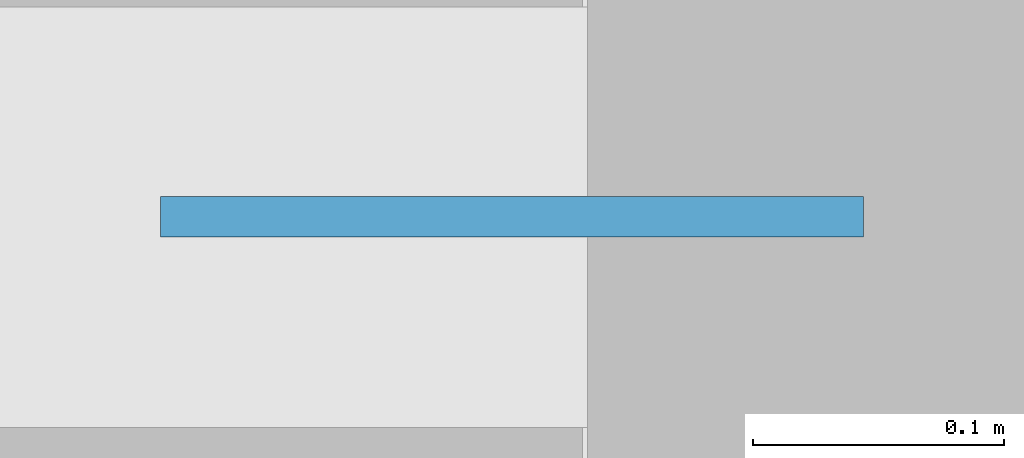
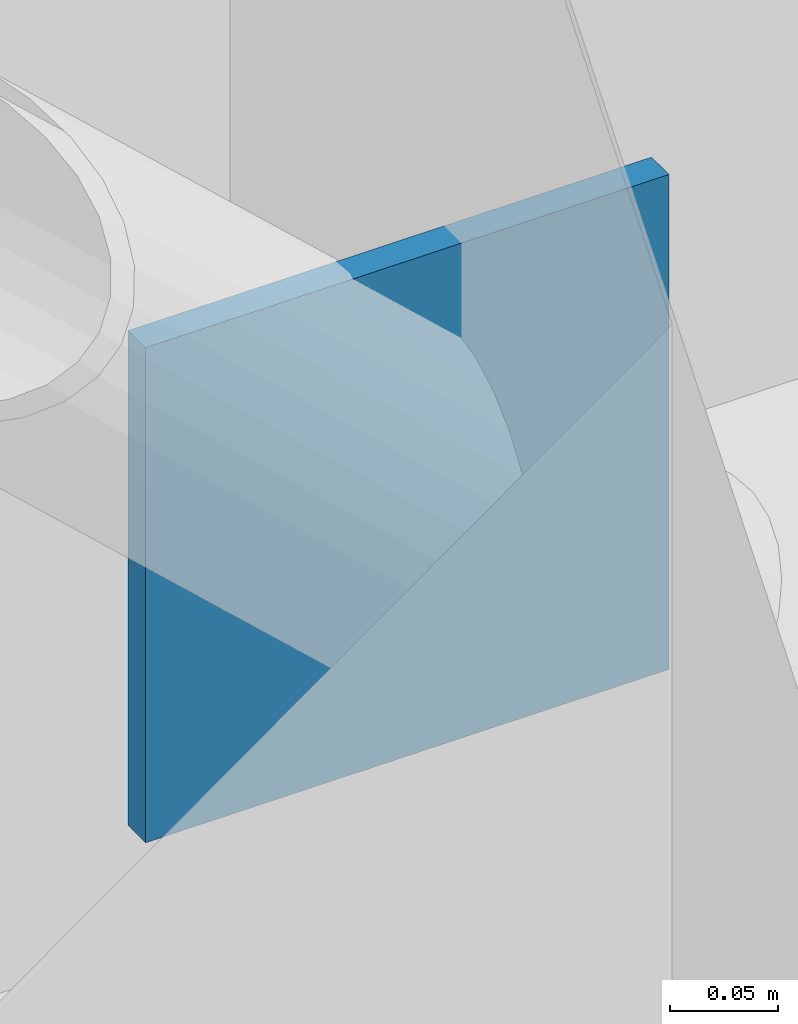
# One storey, part 9 of 19: 1 plate.
"""IFC4 building model written with IfcOpenShell, lengths in metres."""

from ifc_helpers import new_model, si_unit, derived_unit, direction, frame, origin, origin_2d, place, context, subcontext, project, spatial, rectangle, extrude, material, layer, layer_set, type_object, element, save


model = new_model("IFC4")

# Units and contexts
model_context = context("Model", 3, precision=1e-05, world=origin(), true_north=direction((0.0, 1.0)))
body_context = subcontext(model_context, "Body", "Model", "MODEL_VIEW")
ifc_project = project(units=[si_unit("LENGTHUNIT", "METRE"), si_unit("AREAUNIT", "SQUARE_METRE"), si_unit("VOLUMEUNIT", "CUBIC_METRE"), si_unit("PLANEANGLEUNIT", "RADIAN"), si_unit("MASSUNIT", "GRAM", prefix="KILO"), derived_unit("THERMALTRANSMITTANCEUNIT", [(si_unit("MASSUNIT", "GRAM", prefix="KILO"), 1), (si_unit("TIMEUNIT", "SECOND"), -3), (si_unit("THERMODYNAMICTEMPERATUREUNIT", "KELVIN"), -1)])], contexts=[model_context])

# Site, building, storey
site_placement = place(None, origin())
site = spatial("IfcSite", under=ifc_project, at=site_placement, CompositionType="ELEMENT")
building_placement = place(site_placement, origin())
building = spatial("IfcBuilding", under=site, at=building_placement, Name="Qinzheling Arcade Emporium", CompositionType="ELEMENT")
storey_placement = place(building_placement, frame((0.0, 0.0, -4.800048828125)))
storey = spatial("IfcBuildingStorey", under=building, at=storey_placement, Name="B1", CompositionType="ELEMENT", Elevation=-4.800048828125)

# Plate
ifc_material = material(Name="Structural steel Q355B", Category="steel")
ifc_layer = layer(ifc_material, 0.01611328125, Name="Structural steel Q355B", Category="steel")
ifc_layer_set = layer_set([ifc_layer], Name="Structural steel Q355B")
plate_type = type_object("IfcPlateType", Name="Structural Steel Brace Gusset Plate 16mm Q355B", PredefinedType="SHEET", material=ifc_layer_set)
plate_placement = place(storey_placement, frame((60.419921875, 8.39990234375, 0.22998046875), z_axis=(0.0, 0.0, 1.0), x_axis=(1.0, 0.0, 0.0)))
element("IfcPlate", 1, at=plate_placement, inside=storey, type_object=plate_type, Name="Brace Gusset Plate PLT-GP-B1-035", PredefinedType="SHEET", context=body_context, shape_type="SweptSolid", body=[
    extrude(rectangle(XDim=0.280029296875, YDim=0.01611328125, at=origin_2d()), origin(), (0.0, 0.0, 1.0), 0.280029296875),
])

save(model, "model.ifc")
